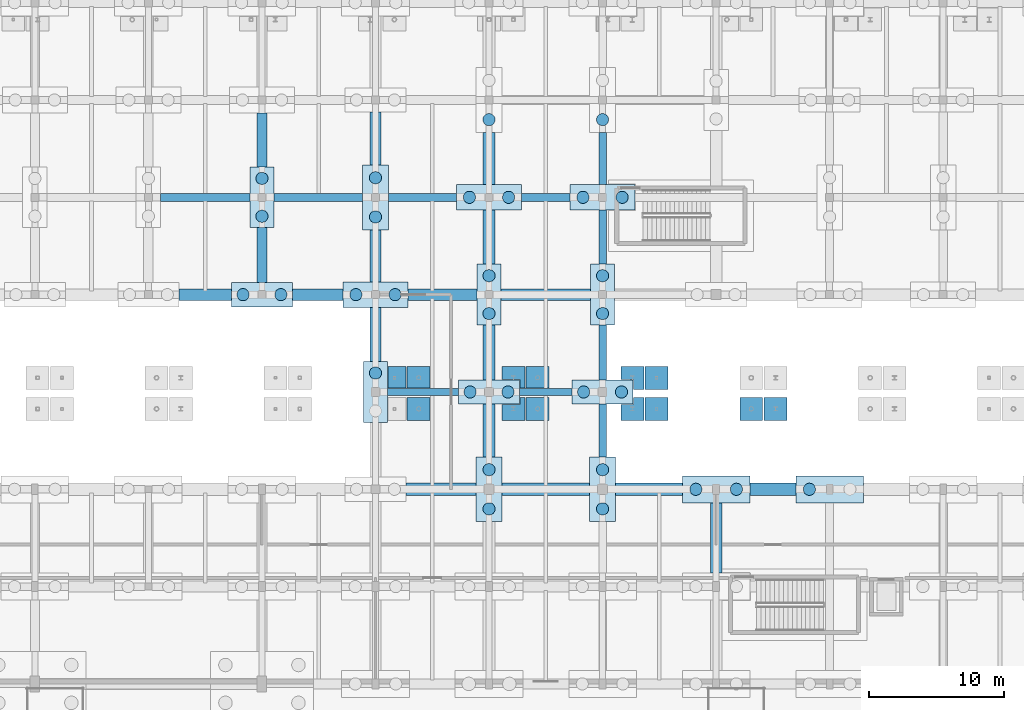
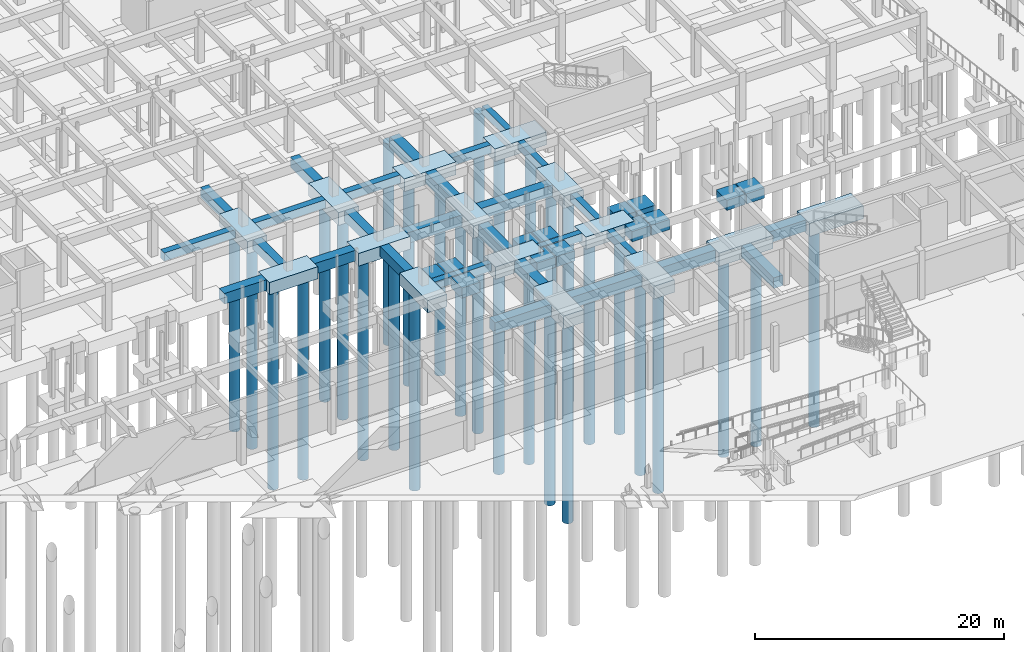
# One storey, part 4 of 80: 56 footings, 30 piles.
"""IFC4 building model written with IfcOpenShell, lengths in metres."""

from ifc_helpers import new_model, si_unit, direction, frame, origin, origin_2d, place, context, subcontext, project, spatial, polyline, rectangle, circle, outline, extrude, material, material_profile, profile_set, type_object, element, save


model = new_model("IFC4")

# Units and contexts
model_context = context("Model", 3, precision=1e-05, world=origin(), true_north=direction((0.0, 1.0)))
body_context = subcontext(model_context, "Body", "Model", "MODEL_VIEW")
ifc_project = project(units=[si_unit("LENGTHUNIT", "METRE"), si_unit("AREAUNIT", "SQUARE_METRE"), si_unit("VOLUMEUNIT", "CUBIC_METRE"), si_unit("PLANEANGLEUNIT", "RADIAN"), si_unit("MASSUNIT", "GRAM", prefix="KILO")], contexts=[model_context])

# Site, building, storey
site_placement = place(None, origin())
site = spatial("IfcSite", under=ifc_project, at=site_placement, CompositionType="ELEMENT")
building_placement = place(site_placement, origin())
building = spatial("IfcBuilding", under=site, at=building_placement, Name="Malvenik Polytechnic", CompositionType="ELEMENT")
storey_placement = place(building_placement, frame((0.0, 0.0, -4.800048828125)))
storey = spatial("IfcBuildingStorey", under=building, at=storey_placement, Name="B1", CompositionType="ELEMENT", Elevation=-4.800048828125)

# Footings
ifc_material = material(Name="Concrete C35/45", Category="concrete")
footing_type_1 = type_object("IfcFootingType", Name="STR-PC-1800x4500x1200", PredefinedType="PILE_CAP", material=ifc_material)
for number, where, z_axis, x_axis, name in (
    (1, (67.199951171875, 50.39990234375, -1.19970703125), (0.0, 0.0, 1.0), (1.0, 0.0, 0.0), "Pile Cap PC-01 #96"),
    (2, (84.0, 43.199951171875, -1.19970703125), (0.0, 0.0, 1.0), (1.0, 0.0, 0.0), "Pile Cap PC-01 #124"),
    (3, (92.39990234375, 43.199951171875, -1.19970703125), (0.0, 0.0, 1.0), (1.0, 0.0, 0.0), "Pile Cap PC-01 #140"),
):
    element("IfcFooting", number, at=place(storey_placement, frame(where, z_axis=z_axis, x_axis=x_axis)), inside=storey, type_object=footing_type_1, Name=name, PredefinedType="PILE_CAP", context=body_context, shape_type="SweptSolid", body=[
        extrude(rectangle(XDim=4.5, YDim=1.800048828125, at=origin_2d()), origin(), (0.0, 0.0, 1.0), 1.199951171875),
    ])
footing_type_2 = type_object("IfcFootingType", Name="STR-PC-1900x4800x1250", PredefinedType="PILE_CAP", material=ifc_material)
for number, where, z_axis, x_axis, name in (
    (4, (75.60009765625, 50.39990234375, -1.25), (0.0, 0.0, 1.0), (1.0, 0.0, 0.0), "Pile Cap PC-13 #110"),
    (5, (84.0, 57.60009765625, -1.25), (0.0, 0.0, 1.0), (1.0, 0.0, 0.0), "Pile Cap PC-13 #126"),
    (6, (92.39990234375, 57.60009765625, -1.25), (0.0, 0.0, 1.0), (1.0, 0.0, 0.0), "Pile Cap PC-13 #142"),
):
    element("IfcFooting", number, at=place(storey_placement, frame(where, z_axis=z_axis, x_axis=x_axis)), inside=storey, type_object=footing_type_2, Name=name, PredefinedType="PILE_CAP", context=body_context, shape_type="SweptSolid", body=[
        extrude(rectangle(XDim=4.800048828125, YDim=1.89990234375, at=origin_2d()), origin(), (0.0, 0.0, 1.0), 1.25),
    ])
footing_type_3 = type_object("IfcFootingType", Name="STR-PC-2000x5000x1300", PredefinedType="PILE_CAP", material=ifc_material)
for number, where, z_axis, x_axis, name in (
    (7, (100.800048828125, 36.0, -1.2998046875), (0.0, 0.0, 1.0), (1.0, 0.0, 0.0), "Pile Cap PC-03 #155"),
    (8, (109.199951171875, 36.0, -1.2998046875), (0.0, 0.0, 1.0), (1.0, 0.0, 0.0), "Pile Cap PC-03 #165"),
):
    element("IfcFooting", number, at=place(storey_placement, frame(where, z_axis=z_axis, x_axis=x_axis)), inside=storey, type_object=footing_type_3, Name=name, PredefinedType="PILE_CAP", context=body_context, shape_type="SweptSolid", body=[
        extrude(rectangle(XDim=5.0, YDim=2.0, at=origin_2d()), origin(), (0.0, 0.0, 1.0), 1.300048828125),
    ])
footing_type_4 = type_object("IfcFootingType", Name="STR-PC-4500x1800x1200", PredefinedType="PILE_CAP", material=ifc_material)
for number, where, z_axis, x_axis, name in (
    (9, (67.199951171875, 57.60009765625, -1.19970703125), (0.0, 0.0, 1.0), (1.0, 0.0, 0.0), "Pile Cap PC-02 #97"),
    (10, (75.60009765625, 43.199951171875, -1.19970703125), (0.0, 0.0, 1.0), (1.0, 0.0, 0.0), "Pile Cap PC-02 #109"),
    (11, (84.0, 50.39990234375, -1.19970703125), (0.0, 0.0, 1.0), (1.0, 0.0, 0.0), "Pile Cap PC-02 #125"),
    (12, (92.39990234375, 50.39990234375, -1.19970703125), (0.0, 0.0, 1.0), (1.0, 0.0, 0.0), "Pile Cap PC-02 #141"),
):
    element("IfcFooting", number, at=place(storey_placement, frame(where, z_axis=z_axis, x_axis=x_axis)), inside=storey, type_object=footing_type_4, Name=name, PredefinedType="PILE_CAP", context=body_context, shape_type="SweptSolid", body=[
        extrude(rectangle(XDim=1.800048828125, YDim=4.5, at=origin_2d()), origin(), (0.0, 0.0, 1.0), 1.199951171875),
    ])
footing_type_5 = type_object("IfcFootingType", Name="STR-PC-4800x1900x1250", PredefinedType="PILE_CAP", material=ifc_material)
for number, where, z_axis, x_axis, name in (
    (13, (75.60009765625, 57.60009765625, -1.25), (0.0, 0.0, 1.0), (1.0, 0.0, 0.0), "Pile Cap PC-14 #111"),
    (14, (84.0, 36.0, -1.25), (0.0, 0.0, 1.0), (1.0, 0.0, 0.0), "Pile Cap PC-14 #123"),
    (15, (92.39990234375, 36.0, -1.25), (0.0, 0.0, 1.0), (1.0, 0.0, 0.0), "Pile Cap PC-14 #139"),
):
    element("IfcFooting", number, at=place(storey_placement, frame(where, z_axis=z_axis, x_axis=x_axis)), inside=storey, type_object=footing_type_5, Name=name, PredefinedType="PILE_CAP", context=body_context, shape_type="SweptSolid", body=[
        extrude(rectangle(XDim=1.89990234375, YDim=4.800048828125, at=origin_2d()), origin(), (0.0, 0.0, 1.0), 1.25),
    ])

# Piles
ifc_material_profile_1 = material_profile(ifc_material, circle(Radius=0.449951171875, at=origin_2d()), Name="BORED PILE D900")
ifc_profile_set_1 = profile_set([ifc_material_profile_1], Name="Concrete C35/45")
pile_type_1 = type_object("IfcPileType", Name="STR-PL-D900-195", PredefinedType="BORED", material=ifc_profile_set_1)
for number, where, z_axis, x_axis, name in (
    (16, (99.300048828125, 36.0, -1.199951171875), (0.0, 0.0, -1.0), (1.0, 0.0, 0.0), "Bored Pile PL-01 #349"),
    (17, (102.300048828125, 36.0, -1.199951171875), (0.0, 0.0, -1.0), (1.0, 0.0, 0.0), "Bored Pile PL-01 #350"),
    (18, (107.699951171875, 36.0, -1.199951171875), (0.0, 0.0, -1.0), (1.0, 0.0, 0.0), "Bored Pile PL-01 #369"),
):
    element("IfcPile", number, at=place(storey_placement, frame(where, z_axis=z_axis, x_axis=x_axis)), inside=storey, type_object=pile_type_1, Name=name, PredefinedType="BORED", context=body_context, shape_type="SweptSolid", body=[
        extrude(circle(Radius=0.449951171875, at=origin_2d()), origin(), (0.0, 0.0, 1.0), 19.5),
    ])
ifc_material_profile_2 = material_profile(ifc_material, circle(Radius=0.449951171875, at=origin_2d()), Name="BORED PILE D900")
ifc_profile_set_2 = profile_set([ifc_material_profile_2], Name="Concrete C35/45")
pile_type_2 = type_object("IfcPileType", Name="STR-PL-D900-198", PredefinedType="BORED", material=ifc_profile_set_2)
for number, where, z_axis, x_axis, name in (
    (19, (65.800048828125, 50.39990234375, -1.099853515625), (0.0, 0.0, -1.0), (1.0, 0.0, 0.0), "Bored Pile PL-02 #223"),
    (20, (68.60009765625, 50.39990234375, -1.099853515625), (0.0, 0.0, -1.0), (1.0, 0.0, 0.0), "Bored Pile PL-02 #224"),
    (21, (67.199951171875, 56.199951171875, -1.099853515625), (0.0, 0.0, -1.0), (1.0, 0.0, 0.0), "Bored Pile PL-02 #225"),
    (22, (67.199951171875, 59.0, -1.099853515625), (0.0, 0.0, -1.0), (1.0, 0.0, 0.0), "Bored Pile PL-02 #226"),
    (23, (75.60009765625, 44.60009765625, -1.099853515625), (0.0, 0.0, -1.0), (1.0, 0.0, 0.0), "Bored Pile PL-02 #254"),
    (24, (74.14990234375, 50.39990234375, -1.14990234375), (0.0, 0.0, -1.0), (1.0, 0.0, 0.0), "Bored Pile PL-02 #255"),
    (25, (77.050048828125, 50.39990234375, -1.14990234375), (0.0, 0.0, -1.0), (1.0, 0.0, 0.0), "Bored Pile PL-02 #256"),
    (26, (75.60009765625, 56.14990234375, -1.14990234375), (0.0, 0.0, -1.0), (1.0, 0.0, 0.0), "Bored Pile PL-02 #257"),
    (27, (75.60009765625, 59.050048828125, -1.14990234375), (0.0, 0.0, -1.0), (1.0, 0.0, 0.0), "Bored Pile PL-02 #258"),
    (28, (84.0, 34.550048828125, -1.14990234375), (0.0, 0.0, -1.0), (1.0, 0.0, 0.0), "Bored Pile PL-02 #285"),
    (29, (84.0, 37.449951171875, -1.14990234375), (0.0, 0.0, -1.0), (1.0, 0.0, 0.0), "Bored Pile PL-02 #286"),
    (30, (82.60009765625, 43.199951171875, -1.099853515625), (0.0, 0.0, -1.0), (1.0, 0.0, 0.0), "Bored Pile PL-02 #287"),
    (31, (85.39990234375, 43.199951171875, -1.099853515625), (0.0, 0.0, -1.0), (1.0, 0.0, 0.0), "Bored Pile PL-02 #288"),
    (32, (84.0, 49.0, -1.099853515625), (0.0, 0.0, -1.0), (1.0, 0.0, 0.0), "Bored Pile PL-02 #289"),
    (33, (84.0, 51.800048828125, -1.099853515625), (0.0, 0.0, -1.0), (1.0, 0.0, 0.0), "Bored Pile PL-02 #290"),
    (34, (82.550048828125, 57.60009765625, -1.14990234375), (0.0, 0.0, -1.0), (1.0, 0.0, 0.0), "Bored Pile PL-02 #291"),
    (35, (85.449951171875, 57.60009765625, -1.14990234375), (0.0, 0.0, -1.0), (1.0, 0.0, 0.0), "Bored Pile PL-02 #292"),
    (36, (84.0, 63.35009765625, -1.14990234375), (0.0, 0.0, -1.0), (1.0, 0.0, 0.0), "Bored Pile PL-02 #293"),
    (37, (92.39990234375, 34.550048828125, -1.14990234375), (0.0, 0.0, -1.0), (1.0, 0.0, 0.0), "Bored Pile PL-02 #317"),
    (38, (92.39990234375, 37.449951171875, -1.14990234375), (0.0, 0.0, -1.0), (1.0, 0.0, 0.0), "Bored Pile PL-02 #318"),
    (39, (91.0, 43.199951171875, -1.099853515625), (0.0, 0.0, -1.0), (1.0, 0.0, 0.0), "Bored Pile PL-02 #319"),
    (40, (93.800048828125, 43.199951171875, -1.099853515625), (0.0, 0.0, -1.0), (1.0, 0.0, 0.0), "Bored Pile PL-02 #320"),
    (41, (92.39990234375, 49.0, -1.099853515625), (0.0, 0.0, -1.0), (1.0, 0.0, 0.0), "Bored Pile PL-02 #321"),
    (42, (92.39990234375, 51.800048828125, -1.099853515625), (0.0, 0.0, -1.0), (1.0, 0.0, 0.0), "Bored Pile PL-02 #322"),
    (43, (90.949951171875, 57.60009765625, -1.14990234375), (0.0, 0.0, -1.0), (1.0, 0.0, 0.0), "Bored Pile PL-02 #323"),
    (44, (93.85009765625, 57.60009765625, -1.14990234375), (0.0, 0.0, -1.0), (1.0, 0.0, 0.0), "Bored Pile PL-02 #324"),
    (45, (92.39990234375, 63.35009765625, -1.14990234375), (0.0, 0.0, -1.0), (1.0, 0.0, 0.0), "Bored Pile PL-02 #325"),
):
    element("IfcPile", number, at=place(storey_placement, frame(where, z_axis=z_axis, x_axis=x_axis)), inside=storey, type_object=pile_type_2, Name=name, PredefinedType="BORED", context=body_context, shape_type="SweptSolid", body=[
        extrude(circle(Radius=0.449951171875, at=origin_2d()), origin(), (0.0, 0.0, 1.0), 19.800048828125),
    ])

# Footings
footing_type_6 = type_object("IfcFootingType", Name="STR-SF-550x750", PredefinedType="STRIP_FOOTING", material=ifc_material)
footing_1_placement = place(storey_placement, frame((0.0, 0.0, -0.75)))
element("IfcFooting", 46, at=footing_1_placement, inside=storey, type_object=footing_type_6, Name="Ground Tie Beam SF-07 #46", PredefinedType="STRIP_FOOTING", context=body_context, shape_type="SweptSolid", body=[
    extrude(outline(polyline([(76.5, 42.925048828125), (81.75, 42.925048828125), (81.75, 43.47509765625), (76.5, 43.47509765625), (76.5, 42.925048828125)])), origin(), (0.0, 0.0, 1.0), 0.75),
])
footing_2_placement = place(storey_placement, frame((0.0, 0.0, -0.75)))
element("IfcFooting", 47, at=footing_2_placement, inside=storey, type_object=footing_type_6, Name="Ground Tie Beam SF-07 #47", PredefinedType="STRIP_FOOTING", context=body_context, shape_type="SweptSolid", body=[
    extrude(outline(polyline([(86.25, 42.925048828125), (90.14990234375, 42.925048828125), (90.14990234375, 43.47509765625), (86.25, 43.47509765625), (86.25, 42.925048828125)])), origin(), (0.0, 0.0, 1.0), 0.75),
])
footing_3_placement = place(storey_placement, frame((0.0, 0.0, -0.75)))
element("IfcFooting", 48, at=footing_3_placement, inside=storey, type_object=footing_type_6, Name="Ground Tie Beam SF-07 #255", PredefinedType="STRIP_FOOTING", context=body_context, shape_type="SweptSolid", body=[
    extrude(outline(polyline([(92.125, 38.39990234375), (92.675048828125, 38.39990234375), (92.675048828125, 42.300048828125), (92.125, 42.300048828125), (92.125, 38.39990234375)])), origin(), (0.0, 0.0, 1.0), 0.75),
])
footing_4_placement = place(storey_placement, frame((0.0, 0.0, -0.75)))
element("IfcFooting", 49, at=footing_4_placement, inside=storey, type_object=footing_type_6, Name="Ground Tie Beam SF-07 #256", PredefinedType="STRIP_FOOTING", context=body_context, shape_type="SweptSolid", body=[
    extrude(outline(polyline([(92.125, 44.10009765625), (92.675048828125, 44.10009765625), (92.675048828125, 48.14990234375), (92.125, 48.14990234375), (92.125, 44.10009765625)])), origin(), (0.0, 0.0, 1.0), 0.75),
])
footing_5_placement = place(storey_placement, frame((0.0, 0.0, -0.75)))
element("IfcFooting", 50, at=footing_5_placement, inside=storey, type_object=footing_type_6, Name="Ground Tie Beam SF-07 #257", PredefinedType="STRIP_FOOTING", context=body_context, shape_type="SweptSolid", body=[
    extrude(outline(polyline([(92.125, 52.64990234375), (92.675048828125, 52.64990234375), (92.675048828125, 56.64990234375), (92.125, 56.64990234375), (92.125, 52.64990234375)])), origin(), (0.0, 0.0, 1.0), 0.75),
])
footing_6_placement = place(storey_placement, frame((0.0, 0.0, -0.75)))
element("IfcFooting", 51, at=footing_6_placement, inside=storey, type_object=footing_type_6, Name="Ground Tie Beam SF-07 #258", PredefinedType="STRIP_FOOTING", context=body_context, shape_type="SweptSolid", body=[
    extrude(outline(polyline([(92.125, 58.550048828125), (92.675048828125, 58.550048828125), (92.675048828125, 62.39990234375), (92.125, 62.39990234375), (92.125, 58.550048828125)])), origin(), (0.0, 0.0, 1.0), 0.75),
])
footing_type_7 = type_object("IfcFootingType", Name="STR-SF-600x800", PredefinedType="STRIP_FOOTING", material=ifc_material)
footing_7_placement = place(storey_placement, frame((0.0, 0.0, -0.800048828125)))
element("IfcFooting", 52, at=footing_7_placement, inside=storey, type_object=footing_type_7, Name="Ground Tie Beam SF-01 #62", PredefinedType="STRIP_FOOTING", context=body_context, shape_type="SweptSolid", body=[
    extrude(outline(polyline([(59.699951171875, 57.300048828125), (66.300048828125, 57.300048828125), (66.300048828125, 57.89990234375), (59.699951171875, 57.89990234375), (59.699951171875, 57.300048828125)])), origin(), (0.0, 0.0, 1.0), 0.800048828125),
])
footing_8_placement = place(storey_placement, frame((0.0, 0.0, -0.800048828125)))
element("IfcFooting", 53, at=footing_8_placement, inside=storey, type_object=footing_type_7, Name="Ground Tie Beam SF-01 #63", PredefinedType="STRIP_FOOTING", context=body_context, shape_type="SweptSolid", body=[
    extrude(outline(polyline([(68.10009765625, 57.300048828125), (74.64990234375, 57.300048828125), (74.64990234375, 57.89990234375), (68.10009765625, 57.89990234375), (68.10009765625, 57.300048828125)])), origin(), (0.0, 0.0, 1.0), 0.800048828125),
])
footing_9_placement = place(storey_placement, frame((0.0, 0.0, -0.800048828125)))
element("IfcFooting", 54, at=footing_9_placement, inside=storey, type_object=footing_type_7, Name="Ground Tie Beam SF-01 #64", PredefinedType="STRIP_FOOTING", context=body_context, shape_type="SweptSolid", body=[
    extrude(outline(polyline([(76.550048828125, 57.300048828125), (81.60009765625, 57.300048828125), (81.60009765625, 57.89990234375), (76.550048828125, 57.89990234375), (76.550048828125, 57.300048828125)])), origin(), (0.0, 0.0, 1.0), 0.800048828125),
])
footing_10_placement = place(storey_placement, frame((0.0, 0.0, -0.800048828125)))
element("IfcFooting", 55, at=footing_10_placement, inside=storey, type_object=footing_type_7, Name="Ground Tie Beam SF-01 #65", PredefinedType="STRIP_FOOTING", context=body_context, shape_type="SweptSolid", body=[
    extrude(outline(polyline([(86.39990234375, 57.300048828125), (90.0, 57.300048828125), (90.0, 57.89990234375), (86.39990234375, 57.89990234375), (86.39990234375, 57.300048828125)])), origin(), (0.0, 0.0, 1.0), 0.800048828125),
])
footing_type_8 = type_object("IfcFootingType", Name="STR-SF-750x950", PredefinedType="STRIP_FOOTING", material=ifc_material)
footing_11_placement = place(storey_placement, frame((0.0, 0.0, -0.949951171875)))
element("IfcFooting", 56, at=footing_11_placement, inside=storey, type_object=footing_type_8, Name="Ground Tie Beam SF-04 #222", PredefinedType="STRIP_FOOTING", context=body_context, shape_type="SweptSolid", body=[
    extrude(outline(polyline([(66.824951171875, 51.300048828125), (67.574951171875, 51.300048828125), (67.574951171875, 55.35009765625), (66.824951171875, 55.35009765625), (66.824951171875, 51.300048828125)])), origin(), (0.0, 0.0, 1.0), 0.949951171875),
])
footing_12_placement = place(storey_placement, frame((0.0, 0.0, -0.949951171875)))
element("IfcFooting", 57, at=footing_12_placement, inside=storey, type_object=footing_type_8, Name="Ground Tie Beam SF-04 #223", PredefinedType="STRIP_FOOTING", context=body_context, shape_type="SweptSolid", body=[
    extrude(outline(polyline([(66.824951171875, 59.85009765625), (67.574951171875, 59.85009765625), (67.574951171875, 63.85009765625), (66.824951171875, 63.85009765625), (66.824951171875, 59.85009765625)])), origin(), (0.0, 0.0, 1.0), 0.949951171875),
])
footing_type_9 = type_object("IfcFootingType", Name="STR-SF-800x1000", PredefinedType="STRIP_FOOTING", material=ifc_material)
footing_13_placement = place(storey_placement, frame((0.0, 0.0, -1.0)))
element("IfcFooting", 58, at=footing_13_placement, inside=storey, type_object=footing_type_9, Name="Ground Tie Beam SF-05 #233", PredefinedType="STRIP_FOOTING", context=body_context, shape_type="SweptSolid", body=[
    extrude(outline(polyline([(75.199951171875, 45.449951171875), (76.0, 45.449951171875), (76.0, 49.449951171875), (75.199951171875, 49.449951171875), (75.199951171875, 45.449951171875)])), origin(), (0.0, 0.0, 1.0), 1.0),
])
footing_14_placement = place(storey_placement, frame((0.0, 0.0, -1.0)))
element("IfcFooting", 59, at=footing_14_placement, inside=storey, type_object=footing_type_9, Name="Ground Tie Beam SF-05 #234", PredefinedType="STRIP_FOOTING", context=body_context, shape_type="SweptSolid", body=[
    extrude(outline(polyline([(75.199951171875, 51.35009765625), (76.0, 51.35009765625), (76.0, 55.199951171875), (75.199951171875, 55.199951171875), (75.199951171875, 51.35009765625)])), origin(), (0.0, 0.0, 1.0), 1.0),
])
footing_15_placement = place(storey_placement, frame((0.0, 0.0, -1.0)))
element("IfcFooting", 60, at=footing_15_placement, inside=storey, type_object=footing_type_9, Name="Ground Tie Beam SF-05 #235", PredefinedType="STRIP_FOOTING", context=body_context, shape_type="SweptSolid", body=[
    extrude(outline(polyline([(75.199951171875, 60.0), (76.0, 60.0), (76.0, 63.89990234375), (75.199951171875, 63.89990234375), (75.199951171875, 60.0)])), origin(), (0.0, 0.0, 1.0), 1.0),
])
footing_16_placement = place(storey_placement, frame((0.0, 0.0, -1.0)))
element("IfcFooting", 61, at=footing_16_placement, inside=storey, type_object=footing_type_9, Name="Bridge-Ramp Pier Footing #24.1", PredefinedType="STRIP_FOOTING", context=body_context, shape_type="SweptSolid", body=[
    extrude(outline(polyline([(77.85009765625, 45.10009765625), (77.85009765625, 43.5048828125), (76.530029296875, 43.5048828125), (76.530029296875, 45.10009765625), (77.85009765625, 45.10009765625)])), origin(), (0.0, 0.0, 1.0), 1.0),
])
footing_17_placement = place(storey_placement, frame((0.0, 0.0, -1.0)))
element("IfcFooting", 62, at=footing_17_placement, inside=storey, type_object=footing_type_9, Name="Bridge-Ramp Pier Footing #25.1", PredefinedType="STRIP_FOOTING", context=body_context, shape_type="SweptSolid", body=[
    extrude(outline(polyline([(77.949951171875, 41.10009765625), (77.949951171875, 42.800048828125), (79.64990234375, 42.800048828125), (79.64990234375, 41.10009765625), (77.949951171875, 41.10009765625)])), origin(), (0.0, 0.0, 1.0), 1.0),
])
footing_18_placement = place(storey_placement, frame((0.0, 0.0, -1.0)))
element("IfcFooting", 63, at=footing_18_placement, inside=storey, type_object=footing_type_9, Name="Bridge-Ramp Pier Footing #26.1", PredefinedType="STRIP_FOOTING", context=body_context, shape_type="SweptSolid", body=[
    extrude(outline(polyline([(77.949951171875, 45.10009765625), (79.64990234375, 45.10009765625), (79.64990234375, 43.5048828125), (77.949951171875, 43.5048828125), (77.949951171875, 45.10009765625)])), origin(), (0.0, 0.0, 1.0), 1.0),
])
footing_19_placement = place(storey_placement, frame((0.0, 0.0, -1.0)))
element("IfcFooting", 64, at=footing_19_placement, inside=storey, type_object=footing_type_9, Name="Bridge-Ramp Pier Footing #27.1", PredefinedType="STRIP_FOOTING", context=body_context, shape_type="SweptSolid", body=[
    extrude(outline(polyline([(86.64990234375, 42.800048828125), (86.64990234375, 41.10009765625), (84.949951171875, 41.10009765625), (84.949951171875, 42.27001953125), (86.25, 42.27001953125), (86.2529296875, 42.27001953125), (86.255859375, 42.2705078125), (86.2587890625, 42.271240234375), (86.261474609375, 42.272216796875), (86.26416015625, 42.2734375), (86.2666015625, 42.275146484375), (86.26904296875, 42.27685546875), (86.271240234375, 42.27880859375), (86.273193359375, 42.281005859375), (86.27490234375, 42.283203125), (86.276611328125, 42.285888671875), (86.277587890625, 42.28857421875), (86.27880859375, 42.291259765625), (86.279296875, 42.294189453125), (86.27978515625, 42.297119140625), (86.280029296875, 42.300048828125), (86.280029296875, 42.800048828125), (86.64990234375, 42.800048828125)])), origin(), (0.0, 0.0, 1.0), 1.0),
])
footing_20_placement = place(storey_placement, frame((0.0, 0.0, -1.0)))
element("IfcFooting", 65, at=footing_20_placement, inside=storey, type_object=footing_type_9, Name="Bridge-Ramp Pier Footing #28.1", PredefinedType="STRIP_FOOTING", context=body_context, shape_type="SweptSolid", body=[
    extrude(outline(polyline([(84.949951171875, 45.10009765625), (86.64990234375, 45.10009765625), (86.64990234375, 43.5048828125), (86.280029296875, 43.5048828125), (86.280029296875, 44.10009765625), (86.27978515625, 44.102783203125), (86.279296875, 44.10595703125), (86.27880859375, 44.108642578125), (86.277587890625, 44.111572265625), (86.276611328125, 44.114013671875), (86.27490234375, 44.11669921875), (86.273193359375, 44.118896484375), (86.271240234375, 44.12109375), (86.26904296875, 44.123291015625), (86.2666015625, 44.125), (86.26416015625, 44.12646484375), (86.261474609375, 44.127685546875), (86.2587890625, 44.128662109375), (86.255859375, 44.12939453125), (86.2529296875, 44.1298828125), (86.25, 44.1298828125), (84.949951171875, 44.1298828125), (84.949951171875, 45.10009765625)])), origin(), (0.0, 0.0, 1.0), 1.0),
])
footing_21_placement = place(storey_placement, frame((0.0, 0.0, -1.0)))
element("IfcFooting", 66, at=footing_21_placement, inside=storey, type_object=footing_type_9, Name="Bridge-Ramp Pier Footing #29.1", PredefinedType="STRIP_FOOTING", context=body_context, shape_type="SweptSolid", body=[
    extrude(outline(polyline([(86.75, 41.10009765625), (86.75, 42.800048828125), (88.449951171875, 42.800048828125), (88.449951171875, 41.10009765625), (86.75, 41.10009765625)])), origin(), (0.0, 0.0, 1.0), 1.0),
])
footing_22_placement = place(storey_placement, frame((0.0, 0.0, -1.0)))
element("IfcFooting", 67, at=footing_22_placement, inside=storey, type_object=footing_type_9, Name="Bridge-Ramp Pier Footing #30.1", PredefinedType="STRIP_FOOTING", context=body_context, shape_type="SweptSolid", body=[
    extrude(outline(polyline([(86.75, 45.10009765625), (88.449951171875, 45.10009765625), (88.449951171875, 43.5048828125), (86.75, 43.5048828125), (86.75, 45.10009765625)])), origin(), (0.0, 0.0, 1.0), 1.0),
])
footing_23_placement = place(storey_placement, frame((0.0, 0.0, -1.0)))
element("IfcFooting", 68, at=footing_23_placement, inside=storey, type_object=footing_type_9, Name="Bridge-Ramp Pier Footing #31.1", PredefinedType="STRIP_FOOTING", context=body_context, shape_type="SweptSolid", body=[
    extrude(outline(polyline([(95.449951171875, 42.800048828125), (95.449951171875, 41.10009765625), (93.75, 41.10009765625), (93.75, 42.27001953125), (94.64990234375, 42.27001953125), (94.65283203125, 42.27001953125), (94.656005859375, 42.2705078125), (94.65869140625, 42.271240234375), (94.66162109375, 42.272216796875), (94.6640625, 42.2734375), (94.666748046875, 42.275146484375), (94.6689453125, 42.27685546875), (94.671142578125, 42.27880859375), (94.673095703125, 42.281005859375), (94.6748046875, 42.283203125), (94.676513671875, 42.285888671875), (94.677734375, 42.28857421875), (94.6787109375, 42.291259765625), (94.679443359375, 42.294189453125), (94.679931640625, 42.297119140625), (94.679931640625, 42.300048828125), (94.679931640625, 42.800048828125), (95.449951171875, 42.800048828125)])), origin(), (0.0, 0.0, 1.0), 1.0),
])
footing_24_placement = place(storey_placement, frame((0.0, 0.0, -1.0)))
element("IfcFooting", 69, at=footing_24_placement, inside=storey, type_object=footing_type_9, Name="Bridge-Ramp Pier Footing #32.1", PredefinedType="STRIP_FOOTING", context=body_context, shape_type="SweptSolid", body=[
    extrude(outline(polyline([(93.75, 45.10009765625), (95.449951171875, 45.10009765625), (95.449951171875, 43.39990234375), (94.679931640625, 43.39990234375), (94.679931640625, 44.10009765625), (94.679931640625, 44.102783203125), (94.679443359375, 44.10595703125), (94.6787109375, 44.108642578125), (94.677734375, 44.111572265625), (94.676513671875, 44.114013671875), (94.6748046875, 44.11669921875), (94.673095703125, 44.118896484375), (94.671142578125, 44.12109375), (94.6689453125, 44.123291015625), (94.666748046875, 44.125), (94.6640625, 44.12646484375), (94.66162109375, 44.127685546875), (94.65869140625, 44.128662109375), (94.656005859375, 44.12939453125), (94.65283203125, 44.1298828125), (94.64990234375, 44.1298828125), (93.75, 44.1298828125), (93.75, 45.10009765625)])), origin(), (0.0, 0.0, 1.0), 1.0),
])
footing_25_placement = place(storey_placement, frame((0.0, 0.0, -1.0)))
element("IfcFooting", 70, at=footing_25_placement, inside=storey, type_object=footing_type_9, Name="Bridge-Ramp Pier Footing #33.1", PredefinedType="STRIP_FOOTING", context=body_context, shape_type="SweptSolid", body=[
    extrude(outline(polyline([(95.550048828125, 41.10009765625), (95.550048828125, 42.800048828125), (97.25, 42.800048828125), (97.25, 41.10009765625), (95.550048828125, 41.10009765625)])), origin(), (0.0, 0.0, 1.0), 1.0),
])
footing_26_placement = place(storey_placement, frame((0.0, 0.0, -1.0)))
element("IfcFooting", 71, at=footing_26_placement, inside=storey, type_object=footing_type_9, Name="Bridge-Ramp Pier Footing #34.1", PredefinedType="STRIP_FOOTING", context=body_context, shape_type="SweptSolid", body=[
    extrude(outline(polyline([(95.550048828125, 43.39990234375), (95.550048828125, 45.10009765625), (97.25, 45.10009765625), (97.25, 43.39990234375), (95.550048828125, 43.39990234375)])), origin(), (0.0, 0.0, 1.0), 1.0),
])
footing_27_placement = place(storey_placement, frame((0.0, 0.0, -1.0)))
element("IfcFooting", 72, at=footing_27_placement, inside=storey, type_object=footing_type_9, Name="Bridge-Ramp Pier Footing #35.1", PredefinedType="STRIP_FOOTING", context=body_context, shape_type="SweptSolid", body=[
    extrude(outline(polyline([(102.550048828125, 41.10009765625), (102.550048828125, 42.800048828125), (104.25, 42.800048828125), (104.25, 41.10009765625), (102.550048828125, 41.10009765625)])), origin(), (0.0, 0.0, 1.0), 1.0),
])
footing_28_placement = place(storey_placement, frame((0.0, 0.0, -1.0)))
element("IfcFooting", 73, at=footing_28_placement, inside=storey, type_object=footing_type_9, Name="Bridge-Ramp Pier Footing #37.1", PredefinedType="STRIP_FOOTING", context=body_context, shape_type="SweptSolid", body=[
    extrude(outline(polyline([(104.35009765625, 41.10009765625), (104.35009765625, 42.800048828125), (106.050048828125, 42.800048828125), (106.050048828125, 41.10009765625), (104.35009765625, 41.10009765625)])), origin(), (0.0, 0.0, 1.0), 1.0),
])
footing_type_10 = type_object("IfcFootingType", Name="STR-SF-850x1050", PredefinedType="STRIP_FOOTING", material=ifc_material)
footing_29_placement = place(storey_placement, frame((0.0, 0.0, -1.050048828125)))
element("IfcFooting", 74, at=footing_29_placement, inside=storey, type_object=footing_type_10, Name="Ground Tie Beam SF-08 #51", PredefinedType="STRIP_FOOTING", context=body_context, shape_type="SweptSolid", body=[
    extrude(outline(polyline([(61.050048828125, 49.97509765625), (64.949951171875, 49.97509765625), (64.949951171875, 50.824951171875), (61.050048828125, 50.824951171875), (61.050048828125, 49.97509765625)])), origin(), (0.0, 0.0, 1.0), 1.050048828125),
])
footing_30_placement = place(storey_placement, frame((0.0, 0.0, -1.050048828125)))
element("IfcFooting", 75, at=footing_30_placement, inside=storey, type_object=footing_type_10, Name="Ground Tie Beam SF-08 #52", PredefinedType="STRIP_FOOTING", context=body_context, shape_type="SweptSolid", body=[
    extrude(outline(polyline([(69.449951171875, 49.97509765625), (73.199951171875, 49.97509765625), (73.199951171875, 50.824951171875), (69.449951171875, 50.824951171875), (69.449951171875, 49.97509765625)])), origin(), (0.0, 0.0, 1.0), 1.050048828125),
])
footing_31_placement = place(storey_placement, frame((0.0, 0.0, -1.050048828125)))
element("IfcFooting", 76, at=footing_31_placement, inside=storey, type_object=footing_type_10, Name="Ground Tie Beam SF-08 #53", PredefinedType="STRIP_FOOTING", context=body_context, shape_type="SweptSolid", body=[
    extrude(outline(polyline([(78.0, 49.97509765625), (83.10009765625, 49.97509765625), (83.10009765625, 50.824951171875), (78.0, 50.824951171875), (78.0, 49.97509765625)])), origin(), (0.0, 0.0, 1.0), 1.050048828125),
])
footing_32_placement = place(storey_placement, frame((0.0, 0.0, -1.050048828125)))
element("IfcFooting", 77, at=footing_32_placement, inside=storey, type_object=footing_type_10, Name="Ground Tie Beam SF-08 #54", PredefinedType="STRIP_FOOTING", context=body_context, shape_type="SweptSolid", body=[
    extrude(outline(polyline([(84.89990234375, 49.97509765625), (91.5, 49.97509765625), (91.5, 50.824951171875), (84.89990234375, 50.824951171875), (84.89990234375, 49.97509765625)])), origin(), (0.0, 0.0, 1.0), 1.050048828125),
])
footing_33_placement = place(storey_placement, frame((0.0, 0.0, -1.050048828125)))
element("IfcFooting", 78, at=footing_33_placement, inside=storey, type_object=footing_type_10, Name="Ground Tie Beam SF-08 #266", PredefinedType="STRIP_FOOTING", context=body_context, shape_type="SweptSolid", body=[
    extrude(outline(polyline([(100.375, 29.800048828125), (101.22509765625, 29.800048828125), (101.22509765625, 35.0), (100.375, 35.0), (100.375, 29.800048828125)])), origin(), (0.0, 0.0, 1.0), 1.050048828125),
])
footing_type_11 = type_object("IfcFootingType", Name="STR-SF-900x1100", PredefinedType="STRIP_FOOTING", material=ifc_material)
footing_34_placement = place(storey_placement, frame((0.0, 0.0, -1.099853515625)))
element("IfcFooting", 79, at=footing_34_placement, inside=storey, type_object=footing_type_11, Name="Ground Tie Beam SF-06 #36", PredefinedType="STRIP_FOOTING", context=body_context, shape_type="SweptSolid", body=[
    extrude(outline(polyline([(77.85009765625, 35.550048828125), (83.050048828125, 35.550048828125), (83.050048828125, 36.449951171875), (77.85009765625, 36.449951171875), (77.85009765625, 35.550048828125)])), origin(), (0.0, 0.0, 1.0), 1.099853515625),
])
footing_35_placement = place(storey_placement, frame((0.0, 0.0, -1.099853515625)))
element("IfcFooting", 80, at=footing_35_placement, inside=storey, type_object=footing_type_11, Name="Ground Tie Beam SF-06 #37", PredefinedType="STRIP_FOOTING", context=body_context, shape_type="SweptSolid", body=[
    extrude(outline(polyline([(84.949951171875, 35.550048828125), (91.449951171875, 35.550048828125), (91.449951171875, 36.449951171875), (84.949951171875, 36.449951171875), (84.949951171875, 35.550048828125)])), origin(), (0.0, 0.0, 1.0), 1.099853515625),
])
footing_36_placement = place(storey_placement, frame((0.0, 0.0, -1.099853515625)))
element("IfcFooting", 81, at=footing_36_placement, inside=storey, type_object=footing_type_11, Name="Ground Tie Beam SF-06 #38", PredefinedType="STRIP_FOOTING", context=body_context, shape_type="SweptSolid", body=[
    extrude(outline(polyline([(93.35009765625, 35.550048828125), (98.300048828125, 35.550048828125), (98.300048828125, 36.449951171875), (93.35009765625, 36.449951171875), (93.35009765625, 35.550048828125)])), origin(), (0.0, 0.0, 1.0), 1.099853515625),
])
footing_37_placement = place(storey_placement, frame((0.0, 0.0, -1.099853515625)))
element("IfcFooting", 82, at=footing_37_placement, inside=storey, type_object=footing_type_11, Name="Ground Tie Beam SF-06 #39", PredefinedType="STRIP_FOOTING", context=body_context, shape_type="SweptSolid", body=[
    extrude(outline(polyline([(103.300048828125, 35.550048828125), (106.699951171875, 35.550048828125), (106.699951171875, 36.449951171875), (103.300048828125, 36.449951171875), (103.300048828125, 35.550048828125)])), origin(), (0.0, 0.0, 1.0), 1.099853515625),
])
footing_38_placement = place(storey_placement, frame((0.0, 0.0, -1.099853515625)))
element("IfcFooting", 83, at=footing_38_placement, inside=storey, type_object=footing_type_11, Name="Ground Tie Beam SF-06 #243", PredefinedType="STRIP_FOOTING", context=body_context, shape_type="SweptSolid", body=[
    extrude(outline(polyline([(83.550048828125, 38.39990234375), (84.449951171875, 38.39990234375), (84.449951171875, 42.300048828125), (83.550048828125, 42.300048828125), (83.550048828125, 38.39990234375)])), origin(), (0.0, 0.0, 1.0), 1.099853515625),
])
footing_39_placement = place(storey_placement, frame((0.0, 0.0, -1.099853515625)))
element("IfcFooting", 84, at=footing_39_placement, inside=storey, type_object=footing_type_11, Name="Ground Tie Beam SF-06 #244", PredefinedType="STRIP_FOOTING", context=body_context, shape_type="SweptSolid", body=[
    extrude(outline(polyline([(83.550048828125, 44.10009765625), (84.449951171875, 44.10009765625), (84.449951171875, 48.14990234375), (83.550048828125, 48.14990234375), (83.550048828125, 44.10009765625)])), origin(), (0.0, 0.0, 1.0), 1.099853515625),
])
footing_40_placement = place(storey_placement, frame((0.0, 0.0, -1.099853515625)))
element("IfcFooting", 85, at=footing_40_placement, inside=storey, type_object=footing_type_11, Name="Ground Tie Beam SF-06 #245", PredefinedType="STRIP_FOOTING", context=body_context, shape_type="SweptSolid", body=[
    extrude(outline(polyline([(83.550048828125, 52.64990234375), (84.449951171875, 52.64990234375), (84.449951171875, 56.64990234375), (83.550048828125, 56.64990234375), (83.550048828125, 52.64990234375)])), origin(), (0.0, 0.0, 1.0), 1.099853515625),
])
footing_41_placement = place(storey_placement, frame((0.0, 0.0, -1.099853515625)))
element("IfcFooting", 86, at=footing_41_placement, inside=storey, type_object=footing_type_11, Name="Ground Tie Beam SF-06 #246", PredefinedType="STRIP_FOOTING", context=body_context, shape_type="SweptSolid", body=[
    extrude(outline(polyline([(83.550048828125, 58.550048828125), (84.449951171875, 58.550048828125), (84.449951171875, 62.39990234375), (83.550048828125, 62.39990234375), (83.550048828125, 58.550048828125)])), origin(), (0.0, 0.0, 1.0), 1.099853515625),
])

save(model, "model.ifc")
